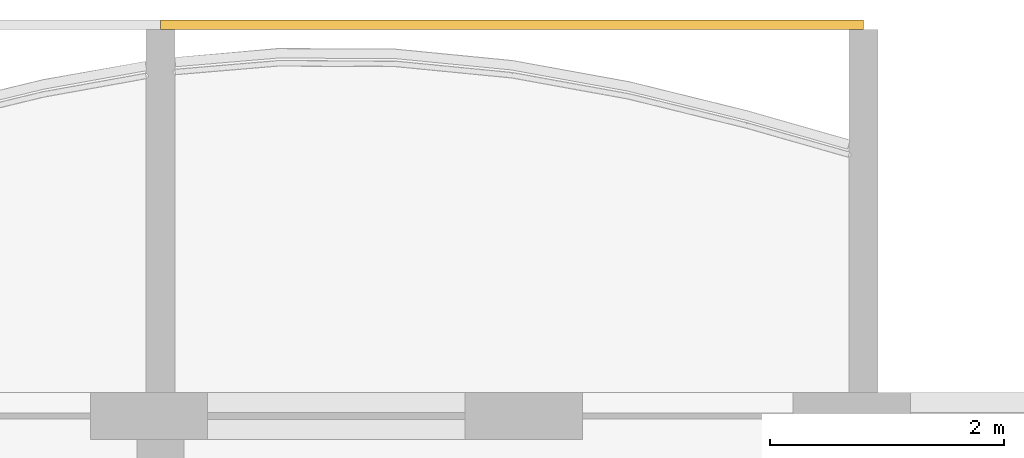
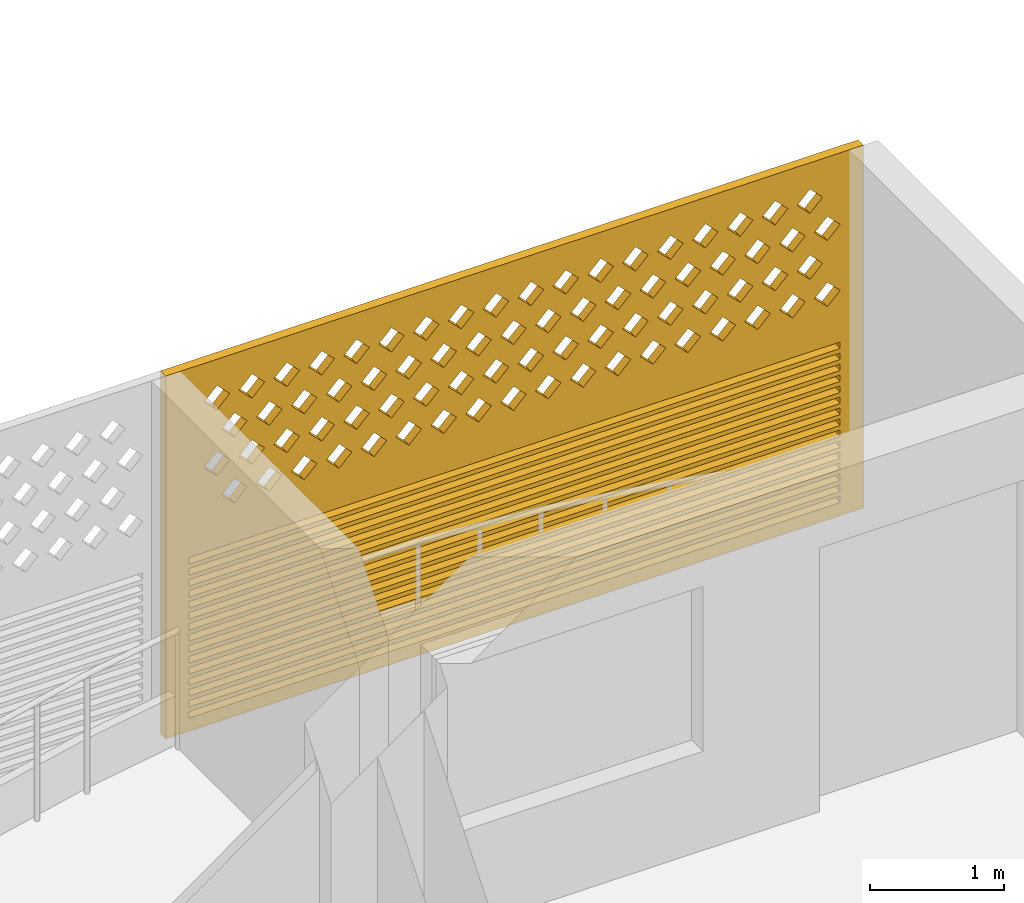
# One storey, part 24 of 39: 1 covering.
"""IFC4 building model written with IfcOpenShell, lengths in metres."""

from ifc_helpers import new_model, si_unit, direction, frame, origin, place, context, subcontext, project, spatial, polyline, outline, extrude, source, transform, mapped, material, material_profile, profile_set, type_object, element, save


model = new_model("IFC4")

# Units and contexts
model_context = context("Model", 3, precision=1e-05, world=origin(), true_north=direction((0.0, 1.0)))
body_context = subcontext(model_context, "Body", "Model", "MODEL_VIEW")
ifc_project = project(units=[si_unit("LENGTHUNIT", "METRE"), si_unit("AREAUNIT", "SQUARE_METRE"), si_unit("VOLUMEUNIT", "CUBIC_METRE"), si_unit("PLANEANGLEUNIT", "RADIAN"), si_unit("MASSUNIT", "GRAM", prefix="KILO")], contexts=[model_context])

# Site, building, storey
site_placement = place(None, origin())
site = spatial("IfcSite", under=ifc_project, at=site_placement, CompositionType="ELEMENT")
building_placement = place(site_placement, origin())
building = spatial("IfcBuilding", under=site, at=building_placement, Name="Poui Terraces", CompositionType="ELEMENT")
storey_placement = place(building_placement, frame((0.0, 0.0, 56.39990234375)))
storey = spatial("IfcBuildingStorey", under=building, at=storey_placement, Name="L15", CompositionType="ELEMENT", Elevation=56.39990234375)

# Covering
ifc_material = material(Name="Terracotta screen", Category="masonry")
ifc_material_profile = material_profile(ifc_material, outline(polyline([(-3.0, -1.64990234375), (3.0, -1.64990234375), (3.0, 1.64990234375), (-3.0, 1.64990234375), (-3.0, -1.64990234375)]), holes=[polyline([(-2.800048828125, 0.39990234375), (-2.68994140625, 0.2900390625), (-2.580078125, 0.39990234375), (-2.68994140625, 0.510009765625), (-2.800048828125, 0.39990234375)]), polyline([(-2.5, 0.39990234375), (-2.389892578125, 0.2900390625), (-2.280029296875, 0.39990234375), (-2.389892578125, 0.510009765625), (-2.5, 0.39990234375)]), polyline([(-2.199951171875, 0.39990234375), (-2.090087890625, 0.2900390625), (-1.97998046875, 0.39990234375), (-2.090087890625, 0.510009765625), (-2.199951171875, 0.39990234375)]), polyline([(-1.89990234375, 0.39990234375), (-1.7900390625, 0.2900390625), (-1.679931640625, 0.39990234375), (-1.7900390625, 0.510009765625), (-1.89990234375, 0.39990234375)]), polyline([(-1.60009765625, 0.39990234375), (-1.489990234375, 0.2900390625), (-1.3798828125, 0.39990234375), (-1.489990234375, 0.510009765625), (-1.60009765625, 0.39990234375)]), polyline([(-1.300048828125, 0.39990234375), (-1.18994140625, 0.2900390625), (-1.080078125, 0.39990234375), (-1.18994140625, 0.510009765625), (-1.300048828125, 0.39990234375)]), polyline([(-1.0, 0.39990234375), (-0.889892578125, 0.2900390625), (-0.780029296875, 0.39990234375), (-0.889892578125, 0.510009765625), (-1.0, 0.39990234375)]), polyline([(-0.699951171875, 0.39990234375), (-0.590087890625, 0.2900390625), (-0.47998046875, 0.39990234375), (-0.590087890625, 0.510009765625), (-0.699951171875, 0.39990234375)]), polyline([(-0.39990234375, 0.39990234375), (-0.2900390625, 0.2900390625), (-0.179931640625, 0.39990234375), (-0.2900390625, 0.510009765625), (-0.39990234375, 0.39990234375)]), polyline([(-0.10009765625, 0.39990234375), (0.010009765625, 0.2900390625), (0.1201171875, 0.39990234375), (0.010009765625, 0.510009765625), (-0.10009765625, 0.39990234375)]), polyline([(0.199951171875, 0.39990234375), (0.31005859375, 0.2900390625), (0.419921875, 0.39990234375), (0.31005859375, 0.510009765625), (0.199951171875, 0.39990234375)]), polyline([(0.5, 0.39990234375), (0.610107421875, 0.2900390625), (0.719970703125, 0.39990234375), (0.610107421875, 0.510009765625), (0.5, 0.39990234375)]), polyline([(0.800048828125, 0.39990234375), (0.909912109375, 0.2900390625), (1.02001953125, 0.39990234375), (0.909912109375, 0.510009765625), (0.800048828125, 0.39990234375)]), polyline([(1.10009765625, 0.39990234375), (1.2099609375, 0.2900390625), (1.320068359375, 0.39990234375), (1.2099609375, 0.510009765625), (1.10009765625, 0.39990234375)]), polyline([(1.39990234375, 0.39990234375), (1.510009765625, 0.2900390625), (1.6201171875, 0.39990234375), (1.510009765625, 0.510009765625), (1.39990234375, 0.39990234375)]), polyline([(1.699951171875, 0.39990234375), (1.81005859375, 0.2900390625), (1.919921875, 0.39990234375), (1.81005859375, 0.510009765625), (1.699951171875, 0.39990234375)]), polyline([(2.0, 0.39990234375), (2.110107421875, 0.2900390625), (2.219970703125, 0.39990234375), (2.110107421875, 0.510009765625), (2.0, 0.39990234375)]), polyline([(2.300048828125, 0.39990234375), (2.409912109375, 0.2900390625), (2.52001953125, 0.39990234375), (2.409912109375, 0.510009765625), (2.300048828125, 0.39990234375)]), polyline([(-2.64990234375, 0.699951171875), (-2.5400390625, 0.590087890625), (-2.429931640625, 0.699951171875), (-2.5400390625, 0.81005859375), (-2.64990234375, 0.699951171875)]), polyline([(-2.35009765625, 0.699951171875), (-2.239990234375, 0.590087890625), (-2.1298828125, 0.699951171875), (-2.239990234375, 0.81005859375), (-2.35009765625, 0.699951171875)]), polyline([(-2.050048828125, 0.699951171875), (-1.93994140625, 0.590087890625), (-1.830078125, 0.699951171875), (-1.93994140625, 0.81005859375), (-2.050048828125, 0.699951171875)]), polyline([(-1.75, 0.699951171875), (-1.639892578125, 0.590087890625), (-1.530029296875, 0.699951171875), (-1.639892578125, 0.81005859375), (-1.75, 0.699951171875)]), polyline([(-1.449951171875, 0.699951171875), (-1.340087890625, 0.590087890625), (-1.22998046875, 0.699951171875), (-1.340087890625, 0.81005859375), (-1.449951171875, 0.699951171875)]), polyline([(-1.14990234375, 0.699951171875), (-1.0400390625, 0.590087890625), (-0.929931640625, 0.699951171875), (-1.0400390625, 0.81005859375), (-1.14990234375, 0.699951171875)]), polyline([(-0.85009765625, 0.699951171875), (-0.739990234375, 0.590087890625), (-0.6298828125, 0.699951171875), (-0.739990234375, 0.81005859375), (-0.85009765625, 0.699951171875)]), polyline([(-0.550048828125, 0.699951171875), (-0.43994140625, 0.590087890625), (-0.330078125, 0.699951171875), (-0.43994140625, 0.81005859375), (-0.550048828125, 0.699951171875)]), polyline([(-0.25, 0.699951171875), (-0.139892578125, 0.590087890625), (-0.030029296875, 0.699951171875), (-0.139892578125, 0.81005859375), (-0.25, 0.699951171875)]), polyline([(0.050048828125, 0.699951171875), (0.159912109375, 0.590087890625), (0.27001953125, 0.699951171875), (0.159912109375, 0.81005859375), (0.050048828125, 0.699951171875)]), polyline([(0.35009765625, 0.699951171875), (0.4599609375, 0.590087890625), (0.570068359375, 0.699951171875), (0.4599609375, 0.81005859375), (0.35009765625, 0.699951171875)]), polyline([(0.64990234375, 0.699951171875), (0.760009765625, 0.590087890625), (0.8701171875, 0.699951171875), (0.760009765625, 0.81005859375), (0.64990234375, 0.699951171875)]), polyline([(0.949951171875, 0.699951171875), (1.06005859375, 0.590087890625), (1.169921875, 0.699951171875), (1.06005859375, 0.81005859375), (0.949951171875, 0.699951171875)]), polyline([(1.25, 0.699951171875), (1.360107421875, 0.590087890625), (1.469970703125, 0.699951171875), (1.360107421875, 0.81005859375), (1.25, 0.699951171875)]), polyline([(1.550048828125, 0.699951171875), (1.659912109375, 0.590087890625), (1.77001953125, 0.699951171875), (1.659912109375, 0.81005859375), (1.550048828125, 0.699951171875)]), polyline([(1.85009765625, 0.699951171875), (1.9599609375, 0.590087890625), (2.070068359375, 0.699951171875), (1.9599609375, 0.81005859375), (1.85009765625, 0.699951171875)]), polyline([(2.14990234375, 0.699951171875), (2.260009765625, 0.590087890625), (2.3701171875, 0.699951171875), (2.260009765625, 0.81005859375), (2.14990234375, 0.699951171875)]), polyline([(2.449951171875, 0.699951171875), (2.56005859375, 0.590087890625), (2.669921875, 0.699951171875), (2.56005859375, 0.81005859375), (2.449951171875, 0.699951171875)]), polyline([(-2.800048828125, 1.0), (-2.68994140625, 0.889892578125), (-2.580078125, 1.0), (-2.68994140625, 1.110107421875), (-2.800048828125, 1.0)]), polyline([(-2.5, 1.0), (-2.389892578125, 0.889892578125), (-2.280029296875, 1.0), (-2.389892578125, 1.110107421875), (-2.5, 1.0)]), polyline([(-2.199951171875, 1.0), (-2.090087890625, 0.889892578125), (-1.97998046875, 1.0), (-2.090087890625, 1.110107421875), (-2.199951171875, 1.0)]), polyline([(-1.89990234375, 1.0), (-1.7900390625, 0.889892578125), (-1.679931640625, 1.0), (-1.7900390625, 1.110107421875), (-1.89990234375, 1.0)]), polyline([(-1.60009765625, 1.0), (-1.489990234375, 0.889892578125), (-1.3798828125, 1.0), (-1.489990234375, 1.110107421875), (-1.60009765625, 1.0)]), polyline([(-1.300048828125, 1.0), (-1.18994140625, 0.889892578125), (-1.080078125, 1.0), (-1.18994140625, 1.110107421875), (-1.300048828125, 1.0)]), polyline([(-1.0, 1.0), (-0.889892578125, 0.889892578125), (-0.780029296875, 1.0), (-0.889892578125, 1.110107421875), (-1.0, 1.0)]), polyline([(-0.699951171875, 1.0), (-0.590087890625, 0.889892578125), (-0.47998046875, 1.0), (-0.590087890625, 1.110107421875), (-0.699951171875, 1.0)]), polyline([(-0.39990234375, 1.0), (-0.2900390625, 0.889892578125), (-0.179931640625, 1.0), (-0.2900390625, 1.110107421875), (-0.39990234375, 1.0)]), polyline([(-0.10009765625, 1.0), (0.010009765625, 0.889892578125), (0.1201171875, 1.0), (0.010009765625, 1.110107421875), (-0.10009765625, 1.0)]), polyline([(0.199951171875, 1.0), (0.31005859375, 0.889892578125), (0.419921875, 1.0), (0.31005859375, 1.110107421875), (0.199951171875, 1.0)]), polyline([(0.5, 1.0), (0.610107421875, 0.889892578125), (0.719970703125, 1.0), (0.610107421875, 1.110107421875), (0.5, 1.0)]), polyline([(0.800048828125, 1.0), (0.909912109375, 0.889892578125), (1.02001953125, 1.0), (0.909912109375, 1.110107421875), (0.800048828125, 1.0)]), polyline([(1.10009765625, 1.0), (1.2099609375, 0.889892578125), (1.320068359375, 1.0), (1.2099609375, 1.110107421875), (1.10009765625, 1.0)]), polyline([(1.39990234375, 1.0), (1.510009765625, 0.889892578125), (1.6201171875, 1.0), (1.510009765625, 1.110107421875), (1.39990234375, 1.0)]), polyline([(1.699951171875, 1.0), (1.81005859375, 0.889892578125), (1.919921875, 1.0), (1.81005859375, 1.110107421875), (1.699951171875, 1.0)]), polyline([(2.0, 1.0), (2.110107421875, 0.889892578125), (2.219970703125, 1.0), (2.110107421875, 1.110107421875), (2.0, 1.0)]), polyline([(2.300048828125, 1.0), (2.409912109375, 0.889892578125), (2.52001953125, 1.0), (2.409912109375, 1.110107421875), (2.300048828125, 1.0)]), polyline([(-2.64990234375, 1.300048828125), (-2.5400390625, 1.18994140625), (-2.429931640625, 1.300048828125), (-2.5400390625, 1.409912109375), (-2.64990234375, 1.300048828125)]), polyline([(-2.35009765625, 1.300048828125), (-2.239990234375, 1.18994140625), (-2.1298828125, 1.300048828125), (-2.239990234375, 1.409912109375), (-2.35009765625, 1.300048828125)]), polyline([(-2.050048828125, 1.300048828125), (-1.93994140625, 1.18994140625), (-1.830078125, 1.300048828125), (-1.93994140625, 1.409912109375), (-2.050048828125, 1.300048828125)]), polyline([(-1.75, 1.300048828125), (-1.639892578125, 1.18994140625), (-1.530029296875, 1.300048828125), (-1.639892578125, 1.409912109375), (-1.75, 1.300048828125)]), polyline([(-1.449951171875, 1.300048828125), (-1.340087890625, 1.18994140625), (-1.22998046875, 1.300048828125), (-1.340087890625, 1.409912109375), (-1.449951171875, 1.300048828125)]), polyline([(-1.14990234375, 1.300048828125), (-1.0400390625, 1.18994140625), (-0.929931640625, 1.300048828125), (-1.0400390625, 1.409912109375), (-1.14990234375, 1.300048828125)]), polyline([(-0.85009765625, 1.300048828125), (-0.739990234375, 1.18994140625), (-0.6298828125, 1.300048828125), (-0.739990234375, 1.409912109375), (-0.85009765625, 1.300048828125)]), polyline([(-0.550048828125, 1.300048828125), (-0.43994140625, 1.18994140625), (-0.330078125, 1.300048828125), (-0.43994140625, 1.409912109375), (-0.550048828125, 1.300048828125)]), polyline([(-0.25, 1.300048828125), (-0.139892578125, 1.18994140625), (-0.030029296875, 1.300048828125), (-0.139892578125, 1.409912109375), (-0.25, 1.300048828125)]), polyline([(0.050048828125, 1.300048828125), (0.159912109375, 1.18994140625), (0.27001953125, 1.300048828125), (0.159912109375, 1.409912109375), (0.050048828125, 1.300048828125)]), polyline([(0.35009765625, 1.300048828125), (0.4599609375, 1.18994140625), (0.570068359375, 1.300048828125), (0.4599609375, 1.409912109375), (0.35009765625, 1.300048828125)]), polyline([(0.64990234375, 1.300048828125), (0.760009765625, 1.18994140625), (0.8701171875, 1.300048828125), (0.760009765625, 1.409912109375), (0.64990234375, 1.300048828125)]), polyline([(0.949951171875, 1.300048828125), (1.06005859375, 1.18994140625), (1.169921875, 1.300048828125), (1.06005859375, 1.409912109375), (0.949951171875, 1.300048828125)]), polyline([(1.25, 1.300048828125), (1.360107421875, 1.18994140625), (1.469970703125, 1.300048828125), (1.360107421875, 1.409912109375), (1.25, 1.300048828125)]), polyline([(1.550048828125, 1.300048828125), (1.659912109375, 1.18994140625), (1.77001953125, 1.300048828125), (1.659912109375, 1.409912109375), (1.550048828125, 1.300048828125)]), polyline([(1.85009765625, 1.300048828125), (1.9599609375, 1.18994140625), (2.070068359375, 1.300048828125), (1.9599609375, 1.409912109375), (1.85009765625, 1.300048828125)]), polyline([(2.14990234375, 1.300048828125), (2.260009765625, 1.18994140625), (2.3701171875, 1.300048828125), (2.260009765625, 1.409912109375), (2.14990234375, 1.300048828125)]), polyline([(2.449951171875, 1.300048828125), (2.56005859375, 1.18994140625), (2.669921875, 1.300048828125), (2.56005859375, 1.409912109375), (2.449951171875, 1.300048828125)]), polyline([(-2.800048828125, -1.530029296875), (2.800048828125, -1.530029296875), (2.800048828125, -1.469970703125), (-2.800048828125, -1.469970703125), (-2.800048828125, -1.530029296875)]), polyline([(-2.800048828125, -1.429931640625), (2.800048828125, -1.429931640625), (2.800048828125, -1.3701171875), (-2.800048828125, -1.3701171875), (-2.800048828125, -1.429931640625)]), polyline([(-2.800048828125, -1.330078125), (2.800048828125, -1.330078125), (2.800048828125, -1.27001953125), (-2.800048828125, -1.27001953125), (-2.800048828125, -1.330078125)]), polyline([(-2.800048828125, -1.22998046875), (2.800048828125, -1.22998046875), (2.800048828125, -1.169921875), (-2.800048828125, -1.169921875), (-2.800048828125, -1.22998046875)]), polyline([(-2.800048828125, -1.1298828125), (2.800048828125, -1.1298828125), (2.800048828125, -1.070068359375), (-2.800048828125, -1.070068359375), (-2.800048828125, -1.1298828125)]), polyline([(-2.800048828125, -1.030029296875), (2.800048828125, -1.030029296875), (2.800048828125, -0.969970703125), (-2.800048828125, -0.969970703125), (-2.800048828125, -1.030029296875)]), polyline([(-2.800048828125, -0.929931640625), (2.800048828125, -0.929931640625), (2.800048828125, -0.8701171875), (-2.800048828125, -0.8701171875), (-2.800048828125, -0.929931640625)]), polyline([(-2.800048828125, -0.830078125), (2.800048828125, -0.830078125), (2.800048828125, -0.77001953125), (-2.800048828125, -0.77001953125), (-2.800048828125, -0.830078125)]), polyline([(-2.800048828125, -0.72998046875), (2.800048828125, -0.72998046875), (2.800048828125, -0.669921875), (-2.800048828125, -0.669921875), (-2.800048828125, -0.72998046875)]), polyline([(-2.800048828125, -0.6298828125), (2.800048828125, -0.6298828125), (2.800048828125, -0.570068359375), (-2.800048828125, -0.570068359375), (-2.800048828125, -0.6298828125)]), polyline([(-2.800048828125, -0.530029296875), (2.800048828125, -0.530029296875), (2.800048828125, -0.469970703125), (-2.800048828125, -0.469970703125), (-2.800048828125, -0.530029296875)]), polyline([(-2.800048828125, -0.429931640625), (2.800048828125, -0.429931640625), (2.800048828125, -0.3701171875), (-2.800048828125, -0.3701171875), (-2.800048828125, -0.429931640625)]), polyline([(-2.800048828125, -0.330078125), (2.800048828125, -0.330078125), (2.800048828125, -0.27001953125), (-2.800048828125, -0.27001953125), (-2.800048828125, -0.330078125)]), polyline([(-2.800048828125, -0.22998046875), (2.800048828125, -0.22998046875), (2.800048828125, -0.169921875), (-2.800048828125, -0.169921875), (-2.800048828125, -0.22998046875)]), polyline([(-2.800048828125, -0.1298828125), (2.800048828125, -0.1298828125), (2.800048828125, -0.070068359375), (-2.800048828125, -0.070068359375), (-2.800048828125, -0.1298828125)])]), Name="TERRACOTTA SCREEN AND JALOUSIE LOUVRE 6000X3300")
ifc_profile_set = profile_set([ifc_material_profile], Name="Terracotta screen")
covering_type = type_object("IfcCoveringType", Name="TERRACOTTA SCREEN AND JALOUSIE LOUVRE 6000X3300", PredefinedType="CLADDING", material=ifc_profile_set)
shared_shape = source(origin(), body_context, "Body", "SweptSolid", [
    extrude(outline(polyline([(-3.0, -1.64990234375), (3.0, -1.64990234375), (3.0, 1.64990234375), (-3.0, 1.64990234375), (-3.0, -1.64990234375)]), holes=[polyline([(-2.800048828125, 0.39990234375), (-2.68994140625, 0.2900390625), (-2.580078125, 0.39990234375), (-2.68994140625, 0.510009765625), (-2.800048828125, 0.39990234375)]), polyline([(-2.5, 0.39990234375), (-2.389892578125, 0.2900390625), (-2.280029296875, 0.39990234375), (-2.389892578125, 0.510009765625), (-2.5, 0.39990234375)]), polyline([(-2.199951171875, 0.39990234375), (-2.090087890625, 0.2900390625), (-1.97998046875, 0.39990234375), (-2.090087890625, 0.510009765625), (-2.199951171875, 0.39990234375)]), polyline([(-1.89990234375, 0.39990234375), (-1.7900390625, 0.2900390625), (-1.679931640625, 0.39990234375), (-1.7900390625, 0.510009765625), (-1.89990234375, 0.39990234375)]), polyline([(-1.60009765625, 0.39990234375), (-1.489990234375, 0.2900390625), (-1.3798828125, 0.39990234375), (-1.489990234375, 0.510009765625), (-1.60009765625, 0.39990234375)]), polyline([(-1.300048828125, 0.39990234375), (-1.18994140625, 0.2900390625), (-1.080078125, 0.39990234375), (-1.18994140625, 0.510009765625), (-1.300048828125, 0.39990234375)]), polyline([(-1.0, 0.39990234375), (-0.889892578125, 0.2900390625), (-0.780029296875, 0.39990234375), (-0.889892578125, 0.510009765625), (-1.0, 0.39990234375)]), polyline([(-0.699951171875, 0.39990234375), (-0.590087890625, 0.2900390625), (-0.47998046875, 0.39990234375), (-0.590087890625, 0.510009765625), (-0.699951171875, 0.39990234375)]), polyline([(-0.39990234375, 0.39990234375), (-0.2900390625, 0.2900390625), (-0.179931640625, 0.39990234375), (-0.2900390625, 0.510009765625), (-0.39990234375, 0.39990234375)]), polyline([(-0.10009765625, 0.39990234375), (0.010009765625, 0.2900390625), (0.1201171875, 0.39990234375), (0.010009765625, 0.510009765625), (-0.10009765625, 0.39990234375)]), polyline([(0.199951171875, 0.39990234375), (0.31005859375, 0.2900390625), (0.419921875, 0.39990234375), (0.31005859375, 0.510009765625), (0.199951171875, 0.39990234375)]), polyline([(0.5, 0.39990234375), (0.610107421875, 0.2900390625), (0.719970703125, 0.39990234375), (0.610107421875, 0.510009765625), (0.5, 0.39990234375)]), polyline([(0.800048828125, 0.39990234375), (0.909912109375, 0.2900390625), (1.02001953125, 0.39990234375), (0.909912109375, 0.510009765625), (0.800048828125, 0.39990234375)]), polyline([(1.10009765625, 0.39990234375), (1.2099609375, 0.2900390625), (1.320068359375, 0.39990234375), (1.2099609375, 0.510009765625), (1.10009765625, 0.39990234375)]), polyline([(1.39990234375, 0.39990234375), (1.510009765625, 0.2900390625), (1.6201171875, 0.39990234375), (1.510009765625, 0.510009765625), (1.39990234375, 0.39990234375)]), polyline([(1.699951171875, 0.39990234375), (1.81005859375, 0.2900390625), (1.919921875, 0.39990234375), (1.81005859375, 0.510009765625), (1.699951171875, 0.39990234375)]), polyline([(2.0, 0.39990234375), (2.110107421875, 0.2900390625), (2.219970703125, 0.39990234375), (2.110107421875, 0.510009765625), (2.0, 0.39990234375)]), polyline([(2.300048828125, 0.39990234375), (2.409912109375, 0.2900390625), (2.52001953125, 0.39990234375), (2.409912109375, 0.510009765625), (2.300048828125, 0.39990234375)]), polyline([(-2.64990234375, 0.699951171875), (-2.5400390625, 0.590087890625), (-2.429931640625, 0.699951171875), (-2.5400390625, 0.81005859375), (-2.64990234375, 0.699951171875)]), polyline([(-2.35009765625, 0.699951171875), (-2.239990234375, 0.590087890625), (-2.1298828125, 0.699951171875), (-2.239990234375, 0.81005859375), (-2.35009765625, 0.699951171875)]), polyline([(-2.050048828125, 0.699951171875), (-1.93994140625, 0.590087890625), (-1.830078125, 0.699951171875), (-1.93994140625, 0.81005859375), (-2.050048828125, 0.699951171875)]), polyline([(-1.75, 0.699951171875), (-1.639892578125, 0.590087890625), (-1.530029296875, 0.699951171875), (-1.639892578125, 0.81005859375), (-1.75, 0.699951171875)]), polyline([(-1.449951171875, 0.699951171875), (-1.340087890625, 0.590087890625), (-1.22998046875, 0.699951171875), (-1.340087890625, 0.81005859375), (-1.449951171875, 0.699951171875)]), polyline([(-1.14990234375, 0.699951171875), (-1.0400390625, 0.590087890625), (-0.929931640625, 0.699951171875), (-1.0400390625, 0.81005859375), (-1.14990234375, 0.699951171875)]), polyline([(-0.85009765625, 0.699951171875), (-0.739990234375, 0.590087890625), (-0.6298828125, 0.699951171875), (-0.739990234375, 0.81005859375), (-0.85009765625, 0.699951171875)]), polyline([(-0.550048828125, 0.699951171875), (-0.43994140625, 0.590087890625), (-0.330078125, 0.699951171875), (-0.43994140625, 0.81005859375), (-0.550048828125, 0.699951171875)]), polyline([(-0.25, 0.699951171875), (-0.139892578125, 0.590087890625), (-0.030029296875, 0.699951171875), (-0.139892578125, 0.81005859375), (-0.25, 0.699951171875)]), polyline([(0.050048828125, 0.699951171875), (0.159912109375, 0.590087890625), (0.27001953125, 0.699951171875), (0.159912109375, 0.81005859375), (0.050048828125, 0.699951171875)]), polyline([(0.35009765625, 0.699951171875), (0.4599609375, 0.590087890625), (0.570068359375, 0.699951171875), (0.4599609375, 0.81005859375), (0.35009765625, 0.699951171875)]), polyline([(0.64990234375, 0.699951171875), (0.760009765625, 0.590087890625), (0.8701171875, 0.699951171875), (0.760009765625, 0.81005859375), (0.64990234375, 0.699951171875)]), polyline([(0.949951171875, 0.699951171875), (1.06005859375, 0.590087890625), (1.169921875, 0.699951171875), (1.06005859375, 0.81005859375), (0.949951171875, 0.699951171875)]), polyline([(1.25, 0.699951171875), (1.360107421875, 0.590087890625), (1.469970703125, 0.699951171875), (1.360107421875, 0.81005859375), (1.25, 0.699951171875)]), polyline([(1.550048828125, 0.699951171875), (1.659912109375, 0.590087890625), (1.77001953125, 0.699951171875), (1.659912109375, 0.81005859375), (1.550048828125, 0.699951171875)]), polyline([(1.85009765625, 0.699951171875), (1.9599609375, 0.590087890625), (2.070068359375, 0.699951171875), (1.9599609375, 0.81005859375), (1.85009765625, 0.699951171875)]), polyline([(2.14990234375, 0.699951171875), (2.260009765625, 0.590087890625), (2.3701171875, 0.699951171875), (2.260009765625, 0.81005859375), (2.14990234375, 0.699951171875)]), polyline([(2.449951171875, 0.699951171875), (2.56005859375, 0.590087890625), (2.669921875, 0.699951171875), (2.56005859375, 0.81005859375), (2.449951171875, 0.699951171875)]), polyline([(-2.800048828125, 1.0), (-2.68994140625, 0.889892578125), (-2.580078125, 1.0), (-2.68994140625, 1.110107421875), (-2.800048828125, 1.0)]), polyline([(-2.5, 1.0), (-2.389892578125, 0.889892578125), (-2.280029296875, 1.0), (-2.389892578125, 1.110107421875), (-2.5, 1.0)]), polyline([(-2.199951171875, 1.0), (-2.090087890625, 0.889892578125), (-1.97998046875, 1.0), (-2.090087890625, 1.110107421875), (-2.199951171875, 1.0)]), polyline([(-1.89990234375, 1.0), (-1.7900390625, 0.889892578125), (-1.679931640625, 1.0), (-1.7900390625, 1.110107421875), (-1.89990234375, 1.0)]), polyline([(-1.60009765625, 1.0), (-1.489990234375, 0.889892578125), (-1.3798828125, 1.0), (-1.489990234375, 1.110107421875), (-1.60009765625, 1.0)]), polyline([(-1.300048828125, 1.0), (-1.18994140625, 0.889892578125), (-1.080078125, 1.0), (-1.18994140625, 1.110107421875), (-1.300048828125, 1.0)]), polyline([(-1.0, 1.0), (-0.889892578125, 0.889892578125), (-0.780029296875, 1.0), (-0.889892578125, 1.110107421875), (-1.0, 1.0)]), polyline([(-0.699951171875, 1.0), (-0.590087890625, 0.889892578125), (-0.47998046875, 1.0), (-0.590087890625, 1.110107421875), (-0.699951171875, 1.0)]), polyline([(-0.39990234375, 1.0), (-0.2900390625, 0.889892578125), (-0.179931640625, 1.0), (-0.2900390625, 1.110107421875), (-0.39990234375, 1.0)]), polyline([(-0.10009765625, 1.0), (0.010009765625, 0.889892578125), (0.1201171875, 1.0), (0.010009765625, 1.110107421875), (-0.10009765625, 1.0)]), polyline([(0.199951171875, 1.0), (0.31005859375, 0.889892578125), (0.419921875, 1.0), (0.31005859375, 1.110107421875), (0.199951171875, 1.0)]), polyline([(0.5, 1.0), (0.610107421875, 0.889892578125), (0.719970703125, 1.0), (0.610107421875, 1.110107421875), (0.5, 1.0)]), polyline([(0.800048828125, 1.0), (0.909912109375, 0.889892578125), (1.02001953125, 1.0), (0.909912109375, 1.110107421875), (0.800048828125, 1.0)]), polyline([(1.10009765625, 1.0), (1.2099609375, 0.889892578125), (1.320068359375, 1.0), (1.2099609375, 1.110107421875), (1.10009765625, 1.0)]), polyline([(1.39990234375, 1.0), (1.510009765625, 0.889892578125), (1.6201171875, 1.0), (1.510009765625, 1.110107421875), (1.39990234375, 1.0)]), polyline([(1.699951171875, 1.0), (1.81005859375, 0.889892578125), (1.919921875, 1.0), (1.81005859375, 1.110107421875), (1.699951171875, 1.0)]), polyline([(2.0, 1.0), (2.110107421875, 0.889892578125), (2.219970703125, 1.0), (2.110107421875, 1.110107421875), (2.0, 1.0)]), polyline([(2.300048828125, 1.0), (2.409912109375, 0.889892578125), (2.52001953125, 1.0), (2.409912109375, 1.110107421875), (2.300048828125, 1.0)]), polyline([(-2.64990234375, 1.300048828125), (-2.5400390625, 1.18994140625), (-2.429931640625, 1.300048828125), (-2.5400390625, 1.409912109375), (-2.64990234375, 1.300048828125)]), polyline([(-2.35009765625, 1.300048828125), (-2.239990234375, 1.18994140625), (-2.1298828125, 1.300048828125), (-2.239990234375, 1.409912109375), (-2.35009765625, 1.300048828125)]), polyline([(-2.050048828125, 1.300048828125), (-1.93994140625, 1.18994140625), (-1.830078125, 1.300048828125), (-1.93994140625, 1.409912109375), (-2.050048828125, 1.300048828125)]), polyline([(-1.75, 1.300048828125), (-1.639892578125, 1.18994140625), (-1.530029296875, 1.300048828125), (-1.639892578125, 1.409912109375), (-1.75, 1.300048828125)]), polyline([(-1.449951171875, 1.300048828125), (-1.340087890625, 1.18994140625), (-1.22998046875, 1.300048828125), (-1.340087890625, 1.409912109375), (-1.449951171875, 1.300048828125)]), polyline([(-1.14990234375, 1.300048828125), (-1.0400390625, 1.18994140625), (-0.929931640625, 1.300048828125), (-1.0400390625, 1.409912109375), (-1.14990234375, 1.300048828125)]), polyline([(-0.85009765625, 1.300048828125), (-0.739990234375, 1.18994140625), (-0.6298828125, 1.300048828125), (-0.739990234375, 1.409912109375), (-0.85009765625, 1.300048828125)]), polyline([(-0.550048828125, 1.300048828125), (-0.43994140625, 1.18994140625), (-0.330078125, 1.300048828125), (-0.43994140625, 1.409912109375), (-0.550048828125, 1.300048828125)]), polyline([(-0.25, 1.300048828125), (-0.139892578125, 1.18994140625), (-0.030029296875, 1.300048828125), (-0.139892578125, 1.409912109375), (-0.25, 1.300048828125)]), polyline([(0.050048828125, 1.300048828125), (0.159912109375, 1.18994140625), (0.27001953125, 1.300048828125), (0.159912109375, 1.409912109375), (0.050048828125, 1.300048828125)]), polyline([(0.35009765625, 1.300048828125), (0.4599609375, 1.18994140625), (0.570068359375, 1.300048828125), (0.4599609375, 1.409912109375), (0.35009765625, 1.300048828125)]), polyline([(0.64990234375, 1.300048828125), (0.760009765625, 1.18994140625), (0.8701171875, 1.300048828125), (0.760009765625, 1.409912109375), (0.64990234375, 1.300048828125)]), polyline([(0.949951171875, 1.300048828125), (1.06005859375, 1.18994140625), (1.169921875, 1.300048828125), (1.06005859375, 1.409912109375), (0.949951171875, 1.300048828125)]), polyline([(1.25, 1.300048828125), (1.360107421875, 1.18994140625), (1.469970703125, 1.300048828125), (1.360107421875, 1.409912109375), (1.25, 1.300048828125)]), polyline([(1.550048828125, 1.300048828125), (1.659912109375, 1.18994140625), (1.77001953125, 1.300048828125), (1.659912109375, 1.409912109375), (1.550048828125, 1.300048828125)]), polyline([(1.85009765625, 1.300048828125), (1.9599609375, 1.18994140625), (2.070068359375, 1.300048828125), (1.9599609375, 1.409912109375), (1.85009765625, 1.300048828125)]), polyline([(2.14990234375, 1.300048828125), (2.260009765625, 1.18994140625), (2.3701171875, 1.300048828125), (2.260009765625, 1.409912109375), (2.14990234375, 1.300048828125)]), polyline([(2.449951171875, 1.300048828125), (2.56005859375, 1.18994140625), (2.669921875, 1.300048828125), (2.56005859375, 1.409912109375), (2.449951171875, 1.300048828125)]), polyline([(-2.800048828125, -1.530029296875), (2.800048828125, -1.530029296875), (2.800048828125, -1.469970703125), (-2.800048828125, -1.469970703125), (-2.800048828125, -1.530029296875)]), polyline([(-2.800048828125, -1.429931640625), (2.800048828125, -1.429931640625), (2.800048828125, -1.3701171875), (-2.800048828125, -1.3701171875), (-2.800048828125, -1.429931640625)]), polyline([(-2.800048828125, -1.330078125), (2.800048828125, -1.330078125), (2.800048828125, -1.27001953125), (-2.800048828125, -1.27001953125), (-2.800048828125, -1.330078125)]), polyline([(-2.800048828125, -1.22998046875), (2.800048828125, -1.22998046875), (2.800048828125, -1.169921875), (-2.800048828125, -1.169921875), (-2.800048828125, -1.22998046875)]), polyline([(-2.800048828125, -1.1298828125), (2.800048828125, -1.1298828125), (2.800048828125, -1.070068359375), (-2.800048828125, -1.070068359375), (-2.800048828125, -1.1298828125)]), polyline([(-2.800048828125, -1.030029296875), (2.800048828125, -1.030029296875), (2.800048828125, -0.969970703125), (-2.800048828125, -0.969970703125), (-2.800048828125, -1.030029296875)]), polyline([(-2.800048828125, -0.929931640625), (2.800048828125, -0.929931640625), (2.800048828125, -0.8701171875), (-2.800048828125, -0.8701171875), (-2.800048828125, -0.929931640625)]), polyline([(-2.800048828125, -0.830078125), (2.800048828125, -0.830078125), (2.800048828125, -0.77001953125), (-2.800048828125, -0.77001953125), (-2.800048828125, -0.830078125)]), polyline([(-2.800048828125, -0.72998046875), (2.800048828125, -0.72998046875), (2.800048828125, -0.669921875), (-2.800048828125, -0.669921875), (-2.800048828125, -0.72998046875)]), polyline([(-2.800048828125, -0.6298828125), (2.800048828125, -0.6298828125), (2.800048828125, -0.570068359375), (-2.800048828125, -0.570068359375), (-2.800048828125, -0.6298828125)]), polyline([(-2.800048828125, -0.530029296875), (2.800048828125, -0.530029296875), (2.800048828125, -0.469970703125), (-2.800048828125, -0.469970703125), (-2.800048828125, -0.530029296875)]), polyline([(-2.800048828125, -0.429931640625), (2.800048828125, -0.429931640625), (2.800048828125, -0.3701171875), (-2.800048828125, -0.3701171875), (-2.800048828125, -0.429931640625)]), polyline([(-2.800048828125, -0.330078125), (2.800048828125, -0.330078125), (2.800048828125, -0.27001953125), (-2.800048828125, -0.27001953125), (-2.800048828125, -0.330078125)]), polyline([(-2.800048828125, -0.22998046875), (2.800048828125, -0.22998046875), (2.800048828125, -0.169921875), (-2.800048828125, -0.169921875), (-2.800048828125, -0.22998046875)]), polyline([(-2.800048828125, -0.1298828125), (2.800048828125, -0.1298828125), (2.800048828125, -0.070068359375), (-2.800048828125, -0.070068359375), (-2.800048828125, -0.1298828125)])]), origin(), (0.0, 0.0, 1.0), 0.079833984375),
])
covering_placement = place(storey_placement, frame((27.0, 48.10009765625, 1.4501953125), z_axis=(0.0, 1.0, 0.0), x_axis=(-1.0, 0.0, 0.0)))
element("IfcCovering", 1, at=covering_placement, inside=storey, type_object=covering_type, Name="SOLAR SCREEN AND JALOUSIE LOUVRE", PredefinedType="CLADDING", context=body_context, shape_type="MappedRepresentation", body=[
    mapped(shared_shape, transform((0.0, 0.0, 0.0))),
])

save(model, "model.ifc")
